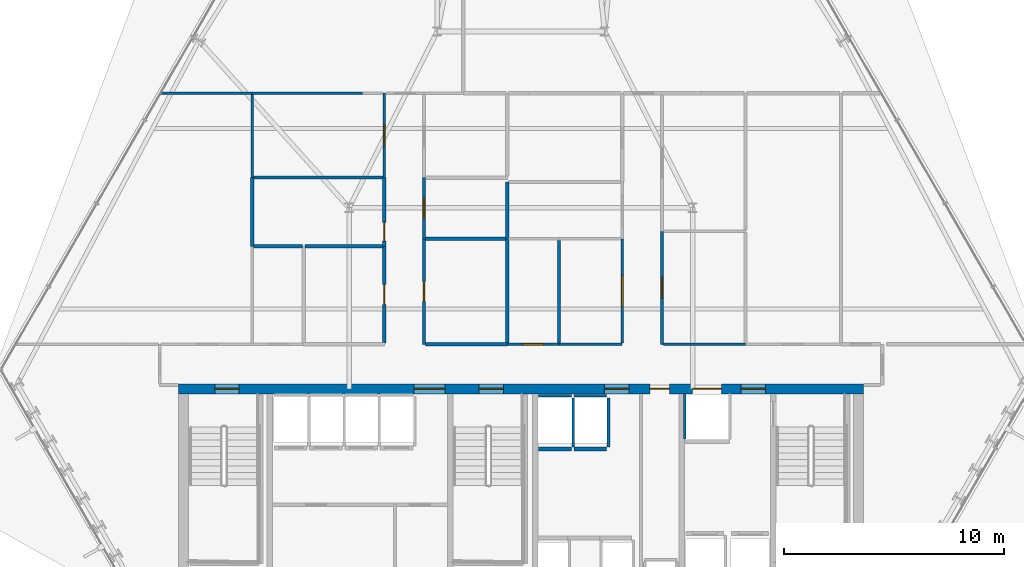
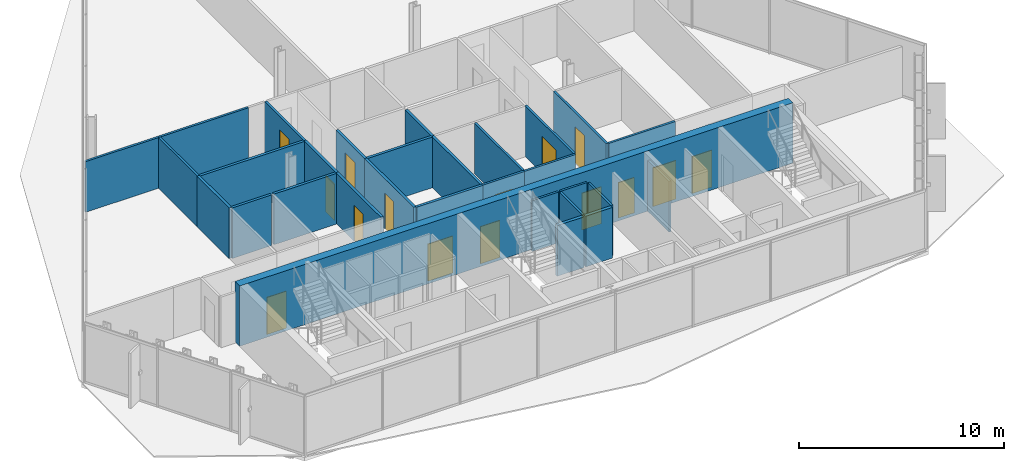
# One storey, part 28 of 36: 30 walls, 15 doors, 15 openings.
"""IFC4 building model written with IfcOpenShell, lengths in metres."""

from ifc_helpers import new_model, si_unit, direction, frame, frame_2d, origin, place, context, subcontext, project, spatial, rectangle, extrude, material, layer, layer_set, type_object, element, fill, save


model = new_model("IFC4")

# Units and contexts
model_context = context("Model", 3, precision=1e-05, world=origin(), true_north=direction((0.0, 1.0)))
body_context = subcontext(model_context, "Body", "Model", "MODEL_VIEW")
ifc_project = project(units=[si_unit("LENGTHUNIT", "METRE"), si_unit("AREAUNIT", "SQUARE_METRE"), si_unit("VOLUMEUNIT", "CUBIC_METRE"), si_unit("PLANEANGLEUNIT", "RADIAN"), si_unit("MASSUNIT", "GRAM", prefix="KILO")], contexts=[model_context])

# Site, building, storey
site_placement = place(None, origin())
site = spatial("IfcSite", under=ifc_project, at=site_placement, CompositionType="ELEMENT")
building_placement = place(site_placement, origin())
building = spatial("IfcBuilding", under=site, at=building_placement, Name="Ndaravel Arena Tower", CompositionType="ELEMENT")
storey_placement = place(building_placement, frame((0.0, 0.0, 127.0)))
storey = spatial("IfcBuildingStorey", under=building, at=storey_placement, Name="L29", CompositionType="ELEMENT", Elevation=127.0)

# Wall, openings, doors
ifc_material_1 = material(Name="Concrete C60/75", Category="concrete")
ifc_layer_1 = layer(ifc_material_1, 0.449951171875)
ifc_layer_set_1 = layer_set([ifc_layer_1], Name="Concrete C60/75")
wall_type_1 = type_object("IfcWallType", Name="WALL-CORE-450", PredefinedType="SOLIDWALL", material=ifc_layer_set_1)
wall_1_placement = place(storey_placement, frame((26.449951171875, 14.97509765625, 0.0), z_axis=(0.0, 0.0, 1.0), x_axis=(1.0, 0.0, 0.0)))
wall_1 = element("IfcWall", 1, at=wall_1_placement, inside=storey, type_object=wall_type_1, Name="L29 Core North Shear Wall", PredefinedType="SOLIDWALL", context=body_context, shape_type="SweptSolid", body=[
    extrude(rectangle(XDim=31.10009765625, YDim=0.449951171875, at=frame_2d((15.550048828125, 0.0))), origin(), (0.0, 0.0, 1.0), 3.580078125),
])
opening_1_placement = place(wall_1_placement, frame((1.64990234375, 0.0, 0.0)))
opening_1 = element("IfcOpeningElement", 2, at=opening_1_placement, cuts=wall_1, Name="Opening FD-01", PredefinedType="OPENING", context=body_context, shape_type="SweptSolid", body=[
    extrude(rectangle(XDim=1.10009765625, YDim=2.199951171875, at=frame_2d((0.550048828125, 1.10009765625))), frame((0.0, 0.22509765625, 0.0), z_axis=(0.0, -1.0, 0.0), x_axis=(1.0, 0.0, 0.0)), (0.0, 0.0, 1.0), 0.449951171875),
])
opening_2_placement = place(wall_1_placement, frame((13.64990234375, 0.0, 0.0)))
opening_2 = element("IfcOpeningElement", 3, at=opening_2_placement, cuts=wall_1, Name="Opening FD-01", PredefinedType="OPENING", context=body_context, shape_type="SweptSolid", body=[
    extrude(rectangle(XDim=1.10009765625, YDim=2.199951171875, at=frame_2d((0.550048828125, 1.10009765625))), frame((0.0, 0.22509765625, 0.0), z_axis=(0.0, -1.0, 0.0), x_axis=(1.0, 0.0, 0.0)), (0.0, 0.0, 1.0), 0.449951171875),
])
opening_3_placement = place(wall_1_placement, frame((25.550048828125, 0.0, 0.0)))
opening_3 = element("IfcOpeningElement", 4, at=opening_3_placement, cuts=wall_1, Name="Opening FD-01", PredefinedType="OPENING", context=body_context, shape_type="SweptSolid", body=[
    extrude(rectangle(XDim=1.10009765625, YDim=2.199951171875, at=frame_2d((0.550048828125, 1.10009765625))), frame((0.0, 0.22509765625, 0.0), z_axis=(0.0, -1.0, 0.0), x_axis=(1.0, 0.0, 0.0)), (0.0, 0.0, 1.0), 0.449951171875),
])
opening_4_placement = place(wall_1_placement, frame((10.699951171875, 0.0, 0.0)))
opening_4 = element("IfcOpeningElement", 5, at=opening_4_placement, cuts=wall_1, Name="Opening ID-02", PredefinedType="OPENING", context=body_context, shape_type="SweptSolid", body=[
    extrude(rectangle(XDim=1.39990234375, YDim=2.199951171875, at=frame_2d((0.699951171875, 1.10009765625))), frame((0.0, 0.22509765625, 0.0), z_axis=(0.0, -1.0, 0.0), x_axis=(1.0, 0.0, 0.0)), (0.0, 0.0, 1.0), 0.449951171875),
])
opening_5_placement = place(wall_1_placement, frame((19.35009765625, 0.0, 0.0)))
opening_5 = element("IfcOpeningElement", 6, at=opening_5_placement, cuts=wall_1, Name="Opening FD-01", PredefinedType="OPENING", context=body_context, shape_type="SweptSolid", body=[
    extrude(rectangle(XDim=1.10009765625, YDim=2.199951171875, at=frame_2d((0.550048828125, 1.10009765625))), frame((0.0, 0.22509765625, 0.0), z_axis=(0.0, -1.0, 0.0), x_axis=(1.0, 0.0, 0.0)), (0.0, 0.0, 1.0), 0.449951171875),
])
opening_6_placement = place(wall_1_placement, frame((21.39990234375, 0.0, 0.0)))
opening_6 = element("IfcOpeningElement", 7, at=opening_6_placement, cuts=wall_1, Name="Opening RD-01", PredefinedType="OPENING", context=body_context, shape_type="SweptSolid", body=[
    extrude(rectangle(XDim=0.89990234375, YDim=2.10009765625, at=frame_2d((0.449951171875, 1.050048828125))), frame((0.0, 0.22509765625, 0.0), z_axis=(0.0, -1.0, 0.0), x_axis=(1.0, 0.0, 0.0)), (0.0, 0.0, 1.0), 0.449951171875),
])
opening_7_placement = place(wall_1_placement, frame((23.35009765625, 0.0, 0.0)))
opening_7 = element("IfcOpeningElement", 8, at=opening_7_placement, cuts=wall_1, Name="Opening LD-02", PredefinedType="OPENING", context=body_context, shape_type="SweptSolid", body=[
    extrude(rectangle(XDim=1.300048828125, YDim=2.300048828125, at=frame_2d((0.64990234375, 1.14990234375))), frame((0.0, 0.22509765625, 0.0), z_axis=(0.0, -1.0, 0.0), x_axis=(1.0, 0.0, 0.0)), (0.0, 0.0, 1.0), 0.449951171875),
])
ifc_material_2 = material(Name="Steel S355", Category="steel")
door_type_1 = type_object("IfcDoorType", Name="DT-01-STAIR-1100", OperationType="SINGLE_SWING_LEFT", PredefinedType="DOOR", material=ifc_material_2)
door_1_placement = place(opening_1_placement, origin())
door_1 = element("IfcDoor", 9, at=door_1_placement, inside=storey, type_object=door_type_1, Name="L29 Exit Stair ST-1 Door", OperationType="SINGLE_SWING_RIGHT", OverallHeight=2.199951171875, OverallWidth=1.10009765625, PredefinedType="DOOR", context=body_context, shape_type="SweptSolid", body=[
    extrude(rectangle(XDim=1.10009765625, YDim=2.199951171875, at=frame_2d((0.550048828125, 1.10009765625))), frame((0.0, 0.02490234375, 0.0), z_axis=(0.0, -1.0, 0.0), x_axis=(1.0, 0.0, 0.0)), (0.0, 0.0, 1.0), 0.050048828125),
])
fill(opening_1, door_1)
door_2_placement = place(opening_2_placement, origin())
door_2 = element("IfcDoor", 10, at=door_2_placement, inside=storey, type_object=door_type_1, Name="L29 Exit Stair ST-2 Door", OperationType="SINGLE_SWING_LEFT", OverallHeight=2.199951171875, OverallWidth=1.10009765625, PredefinedType="DOOR", context=body_context, shape_type="SweptSolid", body=[
    extrude(rectangle(XDim=1.10009765625, YDim=2.199951171875, at=frame_2d((0.550048828125, 1.10009765625))), frame((0.0, 0.02490234375, 0.0), z_axis=(0.0, -1.0, 0.0), x_axis=(1.0, 0.0, 0.0)), (0.0, 0.0, 1.0), 0.050048828125),
])
fill(opening_2, door_2)
door_3_placement = place(opening_3_placement, origin())
door_3 = element("IfcDoor", 11, at=door_3_placement, inside=storey, type_object=door_type_1, Name="L29 Firefighting Lift Lobby Door", OperationType="SINGLE_SWING_RIGHT", OverallHeight=2.199951171875, OverallWidth=1.10009765625, PredefinedType="DOOR", context=body_context, shape_type="SweptSolid", body=[
    extrude(rectangle(XDim=1.10009765625, YDim=2.199951171875, at=frame_2d((0.550048828125, 1.10009765625))), frame((0.0, 0.02490234375, 0.0), z_axis=(0.0, -1.0, 0.0), x_axis=(1.0, 0.0, 0.0)), (0.0, 0.0, 1.0), 0.050048828125),
])
fill(opening_3, door_3)
door_4_placement = place(opening_5_placement, origin())
door_4 = element("IfcDoor", 12, at=door_4_placement, inside=storey, type_object=door_type_1, Name="L29 Express Lift Lobby Entry Door", OperationType="SINGLE_SWING_LEFT", OverallHeight=2.199951171875, OverallWidth=1.10009765625, PredefinedType="DOOR", context=body_context, shape_type="SweptSolid", body=[
    extrude(rectangle(XDim=1.10009765625, YDim=2.199951171875, at=frame_2d((0.550048828125, 1.10009765625))), frame((0.0, 0.02490234375, 0.0), z_axis=(0.0, -1.0, 0.0), x_axis=(1.0, 0.0, 0.0)), (0.0, 0.0, 1.0), 0.050048828125),
])
fill(opening_5, door_4)
ifc_material_3 = material(Name="Timber", Category="wood")
door_type_2 = type_object("IfcDoorType", Name="DT-04-SUITE-1400", OperationType="DOUBLE_DOOR_SINGLE_SWING", PredefinedType="DOOR", material=ifc_material_3)
door_5_placement = place(opening_4_placement, origin())
door_5 = element("IfcDoor", 13, at=door_5_placement, inside=storey, type_object=door_type_2, Name="L29 West Lift Lobby Entry Door", OperationType="DOUBLE_DOOR_SINGLE_SWING", OverallHeight=2.199951171875, OverallWidth=1.39990234375, PredefinedType="DOOR", context=body_context, shape_type="SweptSolid", body=[
    extrude(rectangle(XDim=1.39990234375, YDim=2.199951171875, at=frame_2d((0.699951171875, 1.10009765625))), frame((0.0, 0.02490234375, 0.0), z_axis=(0.0, -1.0, 0.0), x_axis=(1.0, 0.0, 0.0)), (0.0, 0.0, 1.0), 0.050048828125),
])
fill(opening_4, door_5)
ifc_material_4 = material(Name="Steel S355", Category="steel")
door_type_3 = type_object("IfcDoorType", Name="DT-07-SVLIFT-1300", OperationType="DOUBLE_DOOR_SLIDING", PredefinedType="DOOR", material=ifc_material_4)
door_6_placement = place(opening_7_placement, origin())
door_6 = element("IfcDoor", 14, at=door_6_placement, inside=storey, type_object=door_type_3, Name="L29 Lift SVL-1 Sliding Landing Door", OperationType="DOUBLE_DOOR_SLIDING", OverallHeight=2.300048828125, OverallWidth=1.300048828125, PredefinedType="DOOR", context=body_context, shape_type="SweptSolid", body=[
    extrude(rectangle(XDim=1.300048828125, YDim=2.300048828125, at=frame_2d((0.64990234375, 1.14990234375))), frame((0.0, 0.02490234375, 0.0), z_axis=(0.0, -1.0, 0.0), x_axis=(1.0, 0.0, 0.0)), (0.0, 0.0, 1.0), 0.050048828125),
])
fill(opening_7, door_6)
ifc_material_5 = material(Name="Steel S355", Category="steel")
door_type_4 = type_object("IfcDoorType", Name="DT-08-RISER-900", OperationType="SINGLE_SWING_LEFT", PredefinedType="DOOR", material=ifc_material_5)
door_7_placement = place(opening_6_placement, origin())
door_7 = element("IfcDoor", 15, at=door_7_placement, inside=storey, type_object=door_type_4, Name="L29 Core Service Riser North Door", OperationType="SINGLE_SWING_LEFT", OverallHeight=2.10009765625, OverallWidth=0.89990234375, PredefinedType="DOOR", context=body_context, shape_type="SweptSolid", body=[
    extrude(rectangle(XDim=0.89990234375, YDim=2.10009765625, at=frame_2d((0.449951171875, 1.050048828125))), frame((0.0, 0.02490234375, 0.0), z_axis=(0.0, -1.0, 0.0), x_axis=(1.0, 0.0, 0.0)), (0.0, 0.0, 1.0), 0.050048828125),
])
fill(opening_6, door_7)

# Wall, opening, door
ifc_material_6 = material(Name="Gypsum", Category="gypsum")
ifc_layer_2 = layer(ifc_material_6, 0.125)
ifc_layer_set_2 = layer_set([ifc_layer_2], Name="Gypsum")
wall_type_2 = type_object("IfcWallType", Name="WALL-PART-125", PredefinedType="PARTITIONING", material=ifc_layer_set_2)
wall_2_placement = place(storey_placement, frame((35.800048828125, 24.5751953125, 0.0), z_axis=(0.0, 0.0, 1.0), x_axis=(0.0, 1.0, 0.0)))
wall_2 = element("IfcWall", 16, at=wall_2_placement, inside=storey, type_object=wall_type_2, Name="L29 Interior Partition 010", PredefinedType="PARTITIONING", context=body_context, shape_type="SweptSolid", body=[
    extrude(rectangle(XDim=3.82470703125, YDim=0.125, at=frame_2d((1.912353515625, 0.0))), origin(), (0.0, 0.0, 1.0), 3.010498046875),
])
opening_8_placement = place(wall_2_placement, frame((1.437255859375, 0.0, 0.0)))
opening_8 = element("IfcOpeningElement", 17, at=opening_8_placement, cuts=wall_2, Name="Opening ID-01", PredefinedType="OPENING", context=body_context, shape_type="SweptSolid", body=[
    extrude(rectangle(XDim=0.949951171875, YDim=2.199951171875, at=frame_2d((0.47509765625, 1.10009765625))), frame((0.0, 0.0625, 0.0), z_axis=(0.0, -1.0, 0.0), x_axis=(1.0, 0.0, 0.0)), (0.0, 0.0, 1.0), 0.125),
])
ifc_material_7 = material(Name="Timber", Category="wood")
door_type_5 = type_object("IfcDoorType", Name="DT-03-OFFICE-950", OperationType="SINGLE_SWING_LEFT", PredefinedType="DOOR", material=ifc_material_7)
door_8_placement = place(opening_8_placement, origin())
door_8 = element("IfcDoor", 18, at=door_8_placement, inside=storey, type_object=door_type_5, Name="L29 Barista Galley 7 Door", OperationType="SINGLE_SWING_LEFT", OverallHeight=2.199951171875, OverallWidth=0.949951171875, PredefinedType="DOOR", context=body_context, shape_type="SweptSolid", body=[
    extrude(rectangle(XDim=0.949951171875, YDim=2.199951171875, at=frame_2d((0.47509765625, 1.10009765625))), frame((0.0, 0.02490234375, 0.0), z_axis=(0.0, -1.0, 0.0), x_axis=(1.0, 0.0, 0.0)), (0.0, 0.0, 1.0), 0.050048828125),
])
fill(opening_8, door_8)

wall_3_placement = place(storey_placement, frame((41.3798828125, 17.0, 0.0), z_axis=(0.0, 0.0, 1.0), x_axis=(1.0, 0.0, 0.0)))
wall_3 = element("IfcWall", 19, at=wall_3_placement, inside=storey, type_object=wall_type_2, Name="L29 Interior Partition 016", PredefinedType="PARTITIONING", context=body_context, shape_type="SweptSolid", body=[
    extrude(rectangle(XDim=2.34912109375, YDim=0.125, at=frame_2d((1.174560546875, 0.0))), origin(), (0.0, 0.0, 1.0), 3.010498046875),
])
opening_9_placement = place(wall_3_placement, frame((0.699462890625, 0.0, 0.0)))
opening_9 = element("IfcOpeningElement", 20, at=opening_9_placement, cuts=wall_3, Name="Opening ID-01", PredefinedType="OPENING", context=body_context, shape_type="SweptSolid", body=[
    extrude(rectangle(XDim=0.949951171875, YDim=2.199951171875, at=frame_2d((0.47509765625, 1.10009765625))), frame((0.0, 0.0625, 0.0), z_axis=(0.0, -1.0, 0.0), x_axis=(1.0, 0.0, 0.0)), (0.0, 0.0, 1.0), 0.125),
])
door_9_placement = place(opening_9_placement, origin())
door_9 = element("IfcDoor", 21, at=door_9_placement, inside=storey, type_object=door_type_5, Name="L29 Open Plan Workplace Door", OperationType="SINGLE_SWING_LEFT", OverallHeight=2.199951171875, OverallWidth=0.949951171875, PredefinedType="DOOR", context=body_context, shape_type="SweptSolid", body=[
    extrude(rectangle(XDim=0.949951171875, YDim=2.199951171875, at=frame_2d((0.47509765625, 1.10009765625))), frame((0.0, 0.02490234375, 0.0), z_axis=(0.0, -1.0, 0.0), x_axis=(1.0, 0.0, 0.0)), (0.0, 0.0, 1.0), 0.050048828125),
])
fill(opening_9, door_9)

# Wall
wall_4_placement = place(storey_placement, frame((43.72900390625, 17.0, 0.0), z_axis=(0.0, 0.0, 1.0), x_axis=(1.0, 0.0, 0.0)))
element("IfcWall", 22, at=wall_4_placement, inside=storey, type_object=wall_type_2, Name="L29 Interior Partition 017", PredefinedType="PARTITIONING", context=body_context, shape_type="SweptSolid", body=[
    extrude(rectangle(XDim=2.87109375, YDim=0.125, at=frame_2d((1.435546875, 0.0))), origin(), (0.0, 0.0, 1.0), 3.010498046875),
])

# Wall, opening, door
wall_5_placement = place(storey_placement, frame((46.60009765625, 17.06494140625, 0.0), z_axis=(0.0, 0.0, 1.0), x_axis=(0.0, 1.0, 0.0)))
wall_5 = element("IfcWall", 23, at=wall_5_placement, inside=storey, type_object=wall_type_2, Name="L29 Interior Partition 018", PredefinedType="PARTITIONING", context=body_context, shape_type="SweptSolid", body=[
    extrude(rectangle(XDim=4.72314453125, YDim=0.125, at=frame_2d((2.361572265625, 0.0))), origin(), (0.0, 0.0, 1.0), 3.010498046875),
])
opening_10_placement = place(wall_5_placement, frame((1.66162109375, 0.0, 0.0)))
opening_10 = element("IfcOpeningElement", 24, at=opening_10_placement, cuts=wall_5, Name="Opening ID-02", PredefinedType="OPENING", context=body_context, shape_type="SweptSolid", body=[
    extrude(rectangle(XDim=1.39990234375, YDim=2.199951171875, at=frame_2d((0.699951171875, 1.10009765625))), frame((0.0, 0.0625, 0.0), z_axis=(0.0, -1.0, 0.0), x_axis=(1.0, 0.0, 0.0)), (0.0, 0.0, 1.0), 0.125),
])
door_10_placement = place(opening_10_placement, origin())
door_10 = element("IfcDoor", 25, at=door_10_placement, inside=storey, type_object=door_type_2, Name="L29 Client Conference Room 2 Door", OperationType="SINGLE_SWING_RIGHT", OverallHeight=2.199951171875, OverallWidth=1.39990234375, PredefinedType="DOOR", context=body_context, shape_type="SweptSolid", body=[
    extrude(rectangle(XDim=1.39990234375, YDim=2.199951171875, at=frame_2d((0.699951171875, 1.10009765625))), frame((0.0, 0.02490234375, 0.0), z_axis=(0.0, -1.0, 0.0), x_axis=(1.0, 0.0, 0.0)), (0.0, 0.0, 1.0), 0.050048828125),
])
fill(opening_10, door_10)

wall_6_placement = place(storey_placement, frame((48.39990234375, 22.1298828125, 0.0), z_axis=(0.0, 0.0, 1.0), x_axis=(0.0, -1.0, 0.0)))
wall_6 = element("IfcWall", 26, at=wall_6_placement, inside=storey, type_object=wall_type_2, Name="L29 Interior Partition 023", PredefinedType="PARTITIONING", context=body_context, shape_type="SweptSolid", body=[
    extrude(rectangle(XDim=5.1298828125, YDim=0.125, at=frame_2d((2.56494140625, 0.0))), origin(), (0.0, 0.0, 1.0), 3.010498046875),
])
opening_11_placement = place(wall_6_placement, frame((2.090087890625, 0.0, 0.0)))
opening_11 = element("IfcOpeningElement", 27, at=opening_11_placement, cuts=wall_6, Name="Opening ID-01", PredefinedType="OPENING", context=body_context, shape_type="SweptSolid", body=[
    extrude(rectangle(XDim=0.949951171875, YDim=2.199951171875, at=frame_2d((0.47509765625, 1.10009765625))), frame((0.0, 0.0625, 0.0), z_axis=(0.0, -1.0, 0.0), x_axis=(1.0, 0.0, 0.0)), (0.0, 0.0, 1.0), 0.125),
])
door_11_placement = place(opening_11_placement, origin())
door_11 = element("IfcDoor", 28, at=door_11_placement, inside=storey, type_object=door_type_5, Name="L29 Project Seminar Room 3 Door", OperationType="SINGLE_SWING_LEFT", OverallHeight=2.199951171875, OverallWidth=0.949951171875, PredefinedType="DOOR", context=body_context, shape_type="SweptSolid", body=[
    extrude(rectangle(XDim=0.949951171875, YDim=2.199951171875, at=frame_2d((0.47509765625, 1.10009765625))), frame((0.0, 0.02490234375, 0.0), z_axis=(0.0, -1.0, 0.0), x_axis=(1.0, 0.0, 0.0)), (0.0, 0.0, 1.0), 0.050048828125),
])
fill(opening_11, door_11)

# Walls
wall_7_placement = place(storey_placement, frame((48.465087890625, 17.0, 0.0), z_axis=(0.0, 0.0, 1.0), x_axis=(1.0, 0.0, 0.0)))
element("IfcWall", 29, at=wall_7_placement, inside=storey, type_object=wall_type_2, Name="L29 Interior Partition 024", PredefinedType="PARTITIONING", context=body_context, shape_type="SweptSolid", body=[
    extrude(rectangle(XDim=3.73486328125, YDim=0.125, at=frame_2d((1.867431640625, 0.0))), origin(), (0.0, 0.0, 1.0), 3.010498046875),
])
wall_8_placement = place(storey_placement, frame((43.72900390625, 21.722900390625, 0.0), z_axis=(0.0, 0.0, 1.0), x_axis=(0.0, -1.0, 0.0)))
element("IfcWall", 30, at=wall_8_placement, inside=storey, type_object=wall_type_2, Name="L29 Interior Partition 037", PredefinedType="PARTITIONING", context=body_context, shape_type="SweptSolid", body=[
    extrude(rectangle(XDim=4.657958984375, YDim=0.125, at=frame_2d((2.3291015625, 0.0))), origin(), (0.0, 0.0, 1.0), 3.010498046875),
])
wall_9_placement = place(storey_placement, frame((25.639404296875, 28.39990234375, 0.0), z_axis=(0.0, 0.0, 1.0), x_axis=(1.0, 0.0, 0.0)))
element("IfcWall", 31, at=wall_9_placement, inside=storey, type_object=wall_type_2, Name="L29 Interior Partition 043", PredefinedType="PARTITIONING", context=body_context, shape_type="SweptSolid", body=[
    extrude(rectangle(XDim=4.16064453125, YDim=0.125, at=frame_2d((2.080322265625, 0.0))), origin(), (0.0, 0.0, 1.0), 3.010498046875),
])
wall_10_placement = place(storey_placement, frame((29.800048828125, 28.3349609375, 0.0), z_axis=(0.0, 0.0, 1.0), x_axis=(0.0, -1.0, 0.0)))
element("IfcWall", 32, at=wall_10_placement, inside=storey, type_object=wall_type_2, Name="L29 Interior Partition 044", PredefinedType="PARTITIONING", context=body_context, shape_type="SweptSolid", body=[
    extrude(rectangle(XDim=3.759765625, YDim=0.125, at=frame_2d((1.8798828125, 0.0))), origin(), (0.0, 0.0, 1.0), 3.010498046875),
])
wall_11_placement = place(storey_placement, frame((29.800048828125, 28.39990234375, 0.0), z_axis=(0.0, 0.0, 1.0), x_axis=(1.0, 0.0, 0.0)))
element("IfcWall", 33, at=wall_11_placement, inside=storey, type_object=wall_type_2, Name="L29 Interior Partition 059", PredefinedType="PARTITIONING", context=body_context, shape_type="SweptSolid", body=[
    extrude(rectangle(XDim=5.0, YDim=0.125, at=frame_2d((2.5, 0.0))), origin(), (0.0, 0.0, 1.0), 3.010498046875),
])
ifc_material_8 = material(Name="Concrete C40/50", Category="concrete")
ifc_layer_3 = layer(ifc_material_8, 0.1201171875)
ifc_layer_set_3 = layer_set([ifc_layer_3], Name="Concrete C40/50")
wall_type_3 = type_object("IfcWallType", Name="WALL-SHAFT-120", PredefinedType="SOLIDWALL", material=ifc_layer_set_3)
wall_12_placement = place(storey_placement, frame((42.804931640625, 14.659912109375, 0.0), z_axis=(0.0, 0.0, 1.0), x_axis=(1.0, 0.0, 0.0)))
element("IfcWall", 34, at=wall_12_placement, inside=storey, type_object=wall_type_3, Name="L29 PL-OBS1 Shaft Rear Wall", PredefinedType="SOLIDWALL", context=body_context, shape_type="SweptSolid", body=[
    extrude(rectangle(XDim=1.489990234375, YDim=0.1201171875, at=frame_2d((0.7451171875, 0.0))), origin(), (0.0, 0.0, 1.0), 3.010498046875),
])
wall_13_placement = place(storey_placement, frame((44.375, 12.340087890625, 0.0), z_axis=(0.0, 0.0, 1.0), x_axis=(0.0, 1.0, 0.0)))
element("IfcWall", 35, at=wall_13_placement, inside=storey, type_object=wall_type_3, Name="L29 PL-OBS1 Shaft Side R Wall", PredefinedType="SOLIDWALL", context=body_context, shape_type="SweptSolid", body=[
    extrude(rectangle(XDim=2.22998046875, YDim=0.1201171875, at=frame_2d((1.114990234375, 0.0))), origin(), (0.0, 0.0, 1.0), 3.010498046875),
])
wall_14_placement = place(storey_placement, frame((44.405029296875, 14.659912109375, 0.0), z_axis=(0.0, 0.0, 1.0), x_axis=(1.0, 0.0, 0.0)))
element("IfcWall", 36, at=wall_14_placement, inside=storey, type_object=wall_type_3, Name="L29 PL-OBS2 Shaft Rear Wall", PredefinedType="SOLIDWALL", context=body_context, shape_type="SweptSolid", body=[
    extrude(rectangle(XDim=1.489990234375, YDim=0.1201171875, at=frame_2d((0.7451171875, 0.0))), origin(), (0.0, 0.0, 1.0), 3.010498046875),
])
wall_15_placement = place(storey_placement, frame((45.97509765625, 12.340087890625, 0.0), z_axis=(0.0, 0.0, 1.0), x_axis=(0.0, 1.0, 0.0)))
element("IfcWall", 37, at=wall_15_placement, inside=storey, type_object=wall_type_3, Name="L29 PL-OBS2 Shaft Side R Wall", PredefinedType="SOLIDWALL", context=body_context, shape_type="SweptSolid", body=[
    extrude(rectangle(XDim=2.22998046875, YDim=0.1201171875, at=frame_2d((1.114990234375, 0.0))), origin(), (0.0, 0.0, 1.0), 3.010498046875),
])
wall_16_placement = place(storey_placement, frame((49.43994140625, 12.68994140625, 0.0), z_axis=(0.0, 0.0, 1.0), x_axis=(0.0, 1.0, 0.0)))
element("IfcWall", 38, at=wall_16_placement, inside=storey, type_object=wall_type_3, Name="L29 SVL-1 Shaft W Wall", PredefinedType="SOLIDWALL", context=body_context, shape_type="SweptSolid", body=[
    extrude(rectangle(XDim=2.070068359375, YDim=0.1201171875, at=frame_2d((1.03515625, 0.0))), origin(), (0.0, 0.0, 1.0), 3.010498046875),
])
ifc_material_9 = material(Name="Concrete C40/50", Category="concrete")
ifc_layer_4 = layer(ifc_material_9, 0.199951171875)
ifc_layer_set_4 = layer_set([ifc_layer_4], Name="Concrete C40/50")
wall_type_4 = type_object("IfcWallType", Name="WALL-SHAFT-200", PredefinedType="SOLIDWALL", material=ifc_layer_set_4)
for number, where, z_axis, x_axis, name in (
    (39, (42.804931640625, 12.25, 0.0), (0.0, 0.0, 1.0), (1.0, 0.0, 0.0), "L29 PL-OBS1 Shaft Landing Wall"),
    (40, (44.405029296875, 12.25, 0.0), (0.0, 0.0, 1.0), (1.0, 0.0, 0.0), "L29 PL-OBS2 Shaft Landing Wall"),
):
    element("IfcWall", number, at=place(storey_placement, frame(where, z_axis=z_axis, x_axis=x_axis)), inside=storey, type_object=wall_type_4, Name=name, PredefinedType="SOLIDWALL", context=body_context, shape_type="SweptSolid", body=[
        extrude(rectangle(XDim=1.489990234375, YDim=0.179931640625, at=frame_2d((0.7451171875, 0.0))), origin(), (0.0, 0.0, 1.0), 3.010498046875),
    ])

# Wall, opening, door
ifc_material_10 = material(Name="Masonry", Category="masonry")
ifc_layer_5 = layer(ifc_material_10, 0.14990234375)
ifc_layer_set_5 = layer_set([ifc_layer_5], Name="Masonry")
wall_type_5 = type_object("IfcWallType", Name="WALL-WET-150", PredefinedType="PARTITIONING", material=ifc_layer_set_5)
wall_17_placement = place(storey_placement, frame((35.800048828125, 17.06494140625, 0.0), z_axis=(0.0, 0.0, 1.0), x_axis=(0.0, 1.0, 0.0)))
wall_17 = element("IfcWall", 41, at=wall_17_placement, inside=storey, type_object=wall_type_5, Name="L29 Interior Partition 008", PredefinedType="PARTITIONING", context=body_context, shape_type="SweptSolid", body=[
    extrude(rectangle(XDim=4.381103515625, YDim=0.14990234375, at=frame_2d((2.1904296875, 0.0))), origin(), (0.0, 0.0, 1.0), 3.010498046875),
])
opening_12_placement = place(wall_17_placement, frame((1.740478515625, 0.0, 0.0)))
opening_12 = element("IfcOpeningElement", 42, at=opening_12_placement, cuts=wall_17, Name="Opening WD-01", PredefinedType="OPENING", context=body_context, shape_type="SweptSolid", body=[
    extrude(rectangle(XDim=0.89990234375, YDim=2.14990234375, at=frame_2d((0.449951171875, 1.074951171875))), frame((0.0, 0.074951171875, 0.0), z_axis=(0.0, -1.0, 0.0), x_axis=(1.0, 0.0, 0.0)), (0.0, 0.0, 1.0), 0.14990234375),
])
ifc_material_11 = material(Name="Timber", Category="wood")
door_type_6 = type_object("IfcDoorType", Name="DT-05-WC-900", OperationType="SINGLE_SWING_LEFT", PredefinedType="DOOR", material=ifc_material_11)
door_12_placement = place(opening_12_placement, origin())
door_12 = element("IfcDoor", 43, at=door_12_placement, inside=storey, type_object=door_type_6, Name="L29 Male Staff & Visitor Restroom Door", OperationType="SINGLE_SWING_LEFT", OverallHeight=2.14990234375, OverallWidth=0.89990234375, PredefinedType="DOOR", context=body_context, shape_type="SweptSolid", body=[
    extrude(rectangle(XDim=0.89990234375, YDim=2.14990234375, at=frame_2d((0.449951171875, 1.074951171875))), frame((0.0, 0.02490234375, 0.0), z_axis=(0.0, -1.0, 0.0), x_axis=(1.0, 0.0, 0.0)), (0.0, 0.0, 1.0), 0.050048828125),
])
fill(opening_12, door_12)

wall_18_placement = place(storey_placement, frame((35.800048828125, 21.446044921875, 0.0), z_axis=(0.0, 0.0, 1.0), x_axis=(0.0, 1.0, 0.0)))
wall_18 = element("IfcWall", 44, at=wall_18_placement, inside=storey, type_object=wall_type_5, Name="L29 Interior Partition 009", PredefinedType="PARTITIONING", context=body_context, shape_type="SweptSolid", body=[
    extrude(rectangle(XDim=3.129150390625, YDim=0.14990234375, at=frame_2d((1.564453125, 0.0))), origin(), (0.0, 0.0, 1.0), 3.010498046875),
])
opening_13_placement = place(wall_18_placement, frame((0.239501953125, 0.0, 0.0)))
opening_13 = element("IfcOpeningElement", 45, at=opening_13_placement, cuts=wall_18, Name="Opening ID-03", PredefinedType="OPENING", context=body_context, shape_type="SweptSolid", body=[
    extrude(rectangle(XDim=0.85009765625, YDim=2.14990234375, at=frame_2d((0.425048828125, 1.074951171875))), frame((0.0, 0.074951171875, 0.0), z_axis=(0.0, -1.0, 0.0), x_axis=(1.0, 0.0, 0.0)), (0.0, 0.0, 1.0), 0.14990234375),
])
ifc_material_12 = material(Name="Timber", Category="wood")
door_type_7 = type_object("IfcDoorType", Name="DT-12-SUB-850", OperationType="SINGLE_SWING_LEFT", PredefinedType="DOOR", material=ifc_material_12)
door_13_placement = place(opening_13_placement, origin())
door_13 = element("IfcDoor", 46, at=door_13_placement, inside=storey, type_object=door_type_7, Name="L29 Floor Servery Kitchen 4 Door", OperationType="SINGLE_SWING_LEFT", OverallHeight=2.14990234375, OverallWidth=0.85009765625, PredefinedType="DOOR", context=body_context, shape_type="SweptSolid", body=[
    extrude(rectangle(XDim=0.85009765625, YDim=2.14990234375, at=frame_2d((0.425048828125, 1.074951171875))), frame((0.0, 0.02490234375, 0.0), z_axis=(0.0, -1.0, 0.0), x_axis=(1.0, 0.0, 0.0)), (0.0, 0.0, 1.0), 0.050048828125),
])
fill(opening_13, door_13)

wall_19_placement = place(storey_placement, frame((37.60009765625, 24.56494140625, 0.0), z_axis=(0.0, 0.0, 1.0), x_axis=(0.0, -1.0, 0.0)))
wall_19 = element("IfcWall", 47, at=wall_19_placement, inside=storey, type_object=wall_type_5, Name="L29 Interior Partition 013", PredefinedType="PARTITIONING", context=body_context, shape_type="SweptSolid", body=[
    extrude(rectangle(XDim=2.77685546875, YDim=0.14990234375, at=frame_2d((1.388427734375, 0.0))), origin(), (0.0, 0.0, 1.0), 3.010498046875),
])
opening_14_placement = place(wall_19_placement, frame((0.91357421875, 0.0, 0.0)))
opening_14 = element("IfcOpeningElement", 48, at=opening_14_placement, cuts=wall_19, Name="Opening FD-03", PredefinedType="OPENING", context=body_context, shape_type="SweptSolid", body=[
    extrude(rectangle(XDim=0.949951171875, YDim=2.199951171875, at=frame_2d((0.47509765625, 1.10009765625))), frame((0.0, 0.074951171875, 0.0), z_axis=(0.0, -1.0, 0.0), x_axis=(1.0, 0.0, 0.0)), (0.0, 0.0, 1.0), 0.14990234375),
])
ifc_material_13 = material(Name="Steel S355", Category="steel")
door_type_8 = type_object("IfcDoorType", Name="DT-11-CORE-950", OperationType="SINGLE_SWING_LEFT", PredefinedType="DOOR", material=ifc_material_13)
door_14_placement = place(opening_14_placement, origin())
door_14 = element("IfcDoor", 49, at=door_14_placement, inside=storey, type_object=door_type_8, Name="L29 Staff Espresso Kitchen 5 Door", OperationType="SINGLE_SWING_LEFT", OverallHeight=2.199951171875, OverallWidth=0.949951171875, PredefinedType="DOOR", context=body_context, shape_type="SweptSolid", body=[
    extrude(rectangle(XDim=0.949951171875, YDim=2.199951171875, at=frame_2d((0.47509765625, 1.10009765625))), frame((0.0, 0.02490234375, 0.0), z_axis=(0.0, -1.0, 0.0), x_axis=(1.0, 0.0, 0.0)), (0.0, 0.0, 1.0), 0.050048828125),
])
fill(opening_14, door_14)

wall_20_placement = place(storey_placement, frame((37.60009765625, 21.7880859375, 0.0), z_axis=(0.0, 0.0, 1.0), x_axis=(0.0, -1.0, 0.0)))
wall_20 = element("IfcWall", 50, at=wall_20_placement, inside=storey, type_object=wall_type_5, Name="L29 Interior Partition 014", PredefinedType="PARTITIONING", context=body_context, shape_type="SweptSolid", body=[
    extrude(rectangle(XDim=4.7880859375, YDim=0.14990234375, at=frame_2d((2.39404296875, 0.0))), origin(), (0.0, 0.0, 1.0), 3.010498046875),
])
opening_15_placement = place(wall_20_placement, frame((1.944091796875, 0.0, 0.0)))
opening_15 = element("IfcOpeningElement", 51, at=opening_15_placement, cuts=wall_20, Name="Opening WD-01", PredefinedType="OPENING", context=body_context, shape_type="SweptSolid", body=[
    extrude(rectangle(XDim=0.89990234375, YDim=2.14990234375, at=frame_2d((0.449951171875, 1.074951171875))), frame((0.0, 0.074951171875, 0.0), z_axis=(0.0, -1.0, 0.0), x_axis=(1.0, 0.0, 0.0)), (0.0, 0.0, 1.0), 0.14990234375),
])
door_15_placement = place(opening_15_placement, origin())
door_15 = element("IfcDoor", 52, at=door_15_placement, inside=storey, type_object=door_type_6, Name="L29 Female & Accessible Restroom Door", OperationType="SINGLE_SWING_RIGHT", OverallHeight=2.14990234375, OverallWidth=0.89990234375, PredefinedType="DOOR", context=body_context, shape_type="SweptSolid", body=[
    extrude(rectangle(XDim=0.89990234375, YDim=2.14990234375, at=frame_2d((0.449951171875, 1.074951171875))), frame((0.0, 0.02490234375, 0.0), z_axis=(0.0, -1.0, 0.0), x_axis=(1.0, 0.0, 0.0)), (0.0, 0.0, 1.0), 0.050048828125),
])
fill(opening_15, door_15)

# Walls
wall_21_placement = place(storey_placement, frame((37.6650390625, 17.0, 0.0), z_axis=(0.0, 0.0, 1.0), x_axis=(1.0, 0.0, 0.0)))
element("IfcWall", 53, at=wall_21_placement, inside=storey, type_object=wall_type_5, Name="L29 Interior Partition 015", PredefinedType="PARTITIONING", context=body_context, shape_type="SweptSolid", body=[
    extrude(rectangle(XDim=3.71484375, YDim=0.14990234375, at=frame_2d((1.857421875, 0.0))), origin(), (0.0, 0.0, 1.0), 3.010498046875),
])
wall_22_placement = place(storey_placement, frame((29.864990234375, 21.446044921875, 0.0), z_axis=(0.0, 0.0, 1.0), x_axis=(1.0, 0.0, 0.0)))
element("IfcWall", 54, at=wall_22_placement, inside=storey, type_object=wall_type_5, Name="L29 Interior Partition 032", PredefinedType="PARTITIONING", context=body_context, shape_type="SweptSolid", body=[
    extrude(rectangle(XDim=2.2099609375, YDim=0.14990234375, at=frame_2d((1.10498046875, 0.0))), origin(), (0.0, 0.0, 1.0), 3.010498046875),
])
wall_23_placement = place(storey_placement, frame((32.205078125, 21.446044921875, 0.0), z_axis=(0.0, 0.0, 1.0), x_axis=(1.0, 0.0, 0.0)))
element("IfcWall", 55, at=wall_23_placement, inside=storey, type_object=wall_type_5, Name="L29 Interior Partition 033", PredefinedType="PARTITIONING", context=body_context, shape_type="SweptSolid", body=[
    extrude(rectangle(XDim=3.530029296875, YDim=0.14990234375, at=frame_2d((1.76513671875, 0.0))), origin(), (0.0, 0.0, 1.0), 3.010498046875),
])
wall_24_placement = place(storey_placement, frame((41.3798828125, 21.7880859375, 0.0), z_axis=(0.0, 0.0, 1.0), x_axis=(0.0, -1.0, 0.0)))
element("IfcWall", 56, at=wall_24_placement, inside=storey, type_object=wall_type_5, Name="L29 Interior Partition 034", PredefinedType="PARTITIONING", context=body_context, shape_type="SweptSolid", body=[
    extrude(rectangle(XDim=4.72314453125, YDim=0.14990234375, at=frame_2d((2.361572265625, 0.0))), origin(), (0.0, 0.0, 1.0), 3.010498046875),
])
wall_25_placement = place(storey_placement, frame((37.6650390625, 21.7880859375, 0.0), z_axis=(0.0, 0.0, 1.0), x_axis=(1.0, 0.0, 0.0)))
element("IfcWall", 57, at=wall_25_placement, inside=storey, type_object=wall_type_5, Name="L29 Interior Partition 035", PredefinedType="PARTITIONING", context=body_context, shape_type="SweptSolid", body=[
    extrude(rectangle(XDim=3.64990234375, YDim=0.14990234375, at=frame_2d((1.824951171875, 0.0))), origin(), (0.0, 0.0, 1.0), 3.010498046875),
])
wall_26_placement = place(storey_placement, frame((29.800048828125, 24.5751953125, 0.0), z_axis=(0.0, 0.0, 1.0), x_axis=(0.0, -1.0, 0.0)))
element("IfcWall", 58, at=wall_26_placement, inside=storey, type_object=wall_type_5, Name="L29 Interior Partition 045", PredefinedType="PARTITIONING", context=body_context, shape_type="SweptSolid", body=[
    extrude(rectangle(XDim=3.129150390625, YDim=0.14990234375, at=frame_2d((1.564453125, 0.0))), origin(), (0.0, 0.0, 1.0), 3.010498046875),
])
wall_27_placement = place(storey_placement, frame((29.864990234375, 24.5751953125, 0.0), z_axis=(0.0, 0.0, 1.0), x_axis=(1.0, 0.0, 0.0)))
element("IfcWall", 59, at=wall_27_placement, inside=storey, type_object=wall_type_5, Name="L29 Interior Partition 048", PredefinedType="PARTITIONING", context=body_context, shape_type="SweptSolid", body=[
    extrude(rectangle(XDim=5.8701171875, YDim=0.14990234375, at=frame_2d((2.93505859375, 0.0))), origin(), (0.0, 0.0, 1.0), 3.010498046875),
])
wall_28_placement = place(storey_placement, frame((41.3798828125, 21.7880859375, 0.0), z_axis=(0.0, 0.0, 1.0), x_axis=(0.0, 1.0, 0.0)))
element("IfcWall", 60, at=wall_28_placement, inside=storey, type_object=wall_type_5, Name="L29 Interior Partition 049", PredefinedType="PARTITIONING", context=body_context, shape_type="SweptSolid", body=[
    extrude(rectangle(XDim=2.57861328125, YDim=0.14990234375, at=frame_2d((1.289306640625, 0.0))), origin(), (0.0, 0.0, 1.0), 3.010498046875),
])

save(model, "model.ifc")
